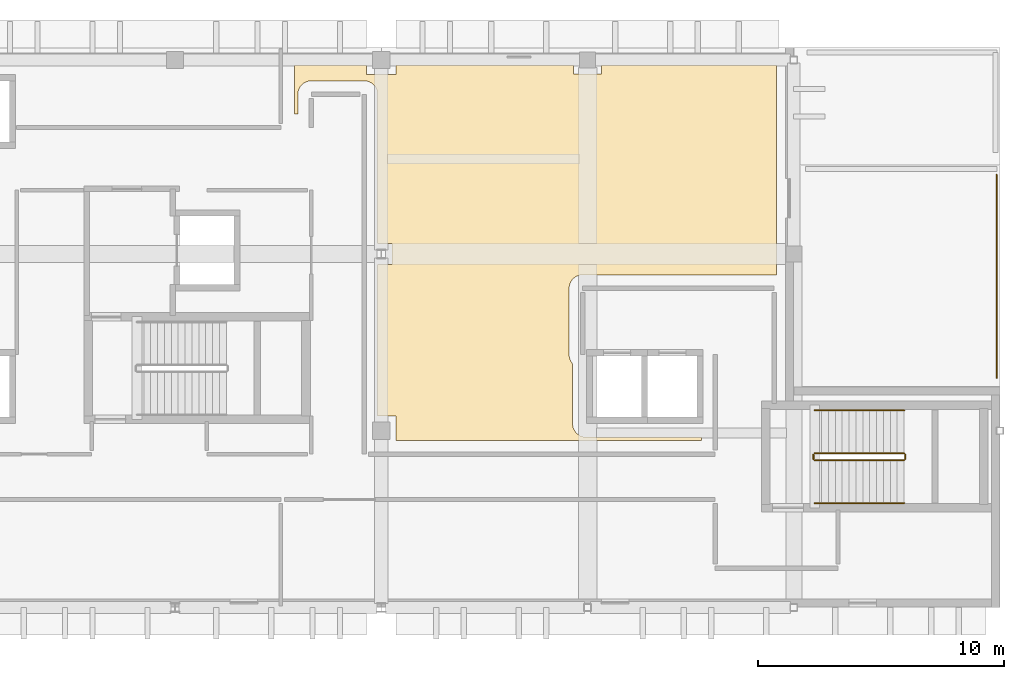
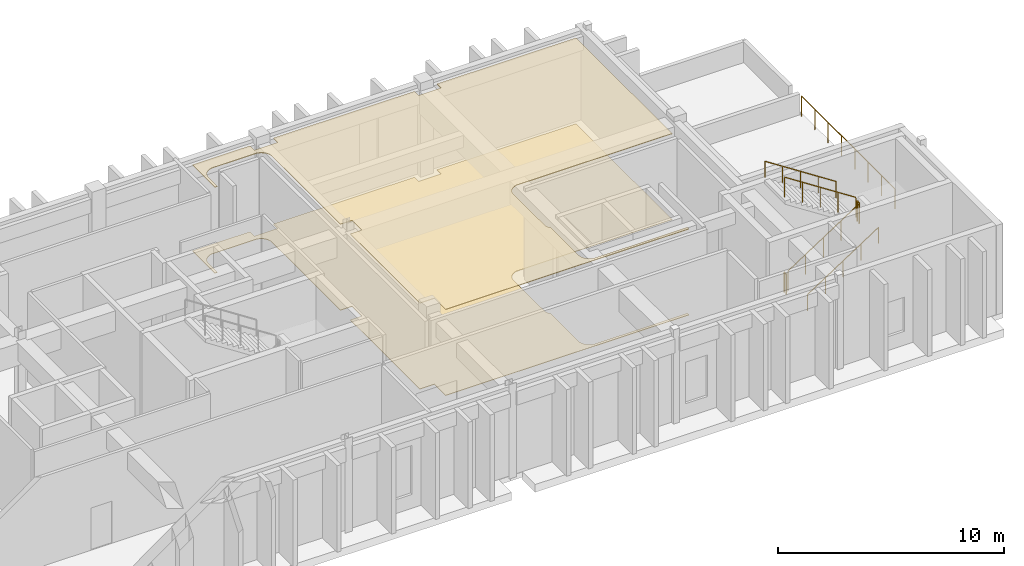
# One storey, part 9 of 9: 7 railings, 2 coverings.
"""IFC4 building model written with IfcOpenShell, lengths in metres."""

from ifc_helpers import new_model, si_unit, direction, frame, origin, origin_2d, place, context, subcontext, project, spatial, polyline, circle, outline, extrude, material, layer, layer_set, type_object, element, save


model = new_model("IFC4")

# Units and contexts
model_context = context("Model", 3, precision=1e-05, world=origin(), true_north=direction((0.0, 1.0)))
body_context = subcontext(model_context, "Body", "Model", "MODEL_VIEW")
ifc_project = project(units=[si_unit("LENGTHUNIT", "METRE"), si_unit("AREAUNIT", "SQUARE_METRE"), si_unit("VOLUMEUNIT", "CUBIC_METRE"), si_unit("PLANEANGLEUNIT", "RADIAN"), si_unit("MASSUNIT", "GRAM", prefix="KILO")], contexts=[model_context])

# Site, building, storey
site_placement = place(None, origin())
site = spatial("IfcSite", under=ifc_project, at=site_placement, CompositionType="ELEMENT")
building_placement = place(site_placement, origin())
building = spatial("IfcBuilding", under=site, at=building_placement, Name="Quendrovan Civic Courthouse", CompositionType="ELEMENT")
storey_placement = place(building_placement, frame((0.0, 0.0, 30.60009765625)))
storey = spatial("IfcBuildingStorey", under=building, at=storey_placement, Name="L07", CompositionType="ELEMENT", Elevation=30.60009765625)

# Coverings
ifc_material_1 = material(Name="Perforated Western Red Cedar and mineral acoustic ceiling")
ifc_layer_1 = layer(ifc_material_1, 0.034912109375, Name="Perforated Western Red Cedar and mineral acoustic ceiling")
ifc_layer_set_1 = layer_set([ifc_layer_1], Name="Perforated Western Red Cedar and mineral acoustic ceiling")
covering_type_1 = type_object("IfcCoveringType", Name="COV-CEIL-ACOUSTIC", PredefinedType="CEILING", material=ifc_layer_set_1)
covering_1_placement = place(storey_placement, frame((0.0, 0.0, 4.64501953125)))
element("IfcCovering", 1, at=covering_1_placement, inside=storey, type_object=covering_type_1, Name="L07 Appellate Courtroom Acoustic Ceiling", PredefinedType="CEILING", context=body_context, shape_type="SweptSolid", body=[
    extrude(outline(polyline([(67.800048828125, 94.39990234375), (67.800048828125, 95.39990234375), (67.050048828125, 95.39990234375), (67.050048828125, 101.56396484375), (67.636962890625, 101.56396484375), (67.636962890625, 102.43603515625), (67.050048828125, 102.43603515625), (67.050048828125, 108.5), (67.04736328125, 108.553955078125), (67.039306640625, 108.607421875), (67.0263671875, 108.65966796875), (67.008056640625, 108.71044921875), (66.985107421875, 108.75927734375), (66.957275390625, 108.8056640625), (66.92529296875, 108.848876953125), (66.888916015625, 108.888916015625), (66.848876953125, 108.92529296875), (66.8056640625, 108.957275390625), (66.75927734375, 108.985107421875), (66.71044921875, 109.008056640625), (66.65966796875, 109.0263671875), (66.607421875, 109.039306640625), (66.553955078125, 109.04736328125), (66.5, 109.050048828125), (64.35009765625, 109.050048828125), (64.296142578125, 109.04736328125), (64.24267578125, 109.039306640625), (64.190185546875, 109.0263671875), (64.139404296875, 109.008056640625), (64.0908203125, 108.985107421875), (64.04443359375, 108.957275390625), (64.001220703125, 108.92529296875), (63.961181640625, 108.888916015625), (63.9248046875, 108.848876953125), (63.892578125, 108.8056640625), (63.864990234375, 108.75927734375), (63.841796875, 108.71044921875), (63.82373046875, 108.65966796875), (63.810546875, 108.607421875), (63.802490234375, 108.553955078125), (63.800048828125, 108.5), (63.800048828125, 107.699951171875), (63.659912109375, 107.699951171875), (63.659912109375, 109.68994140625), (66.60009765625, 109.68994140625), (66.60009765625, 109.300048828125), (67.800048828125, 109.300048828125), (67.800048828125, 109.68994140625), (75.02490234375, 109.68994140625), (75.02490234375, 109.324951171875), (76.175048828125, 109.324951171875), (76.175048828125, 109.68994140625), (83.2900390625, 109.68994140625), (83.2900390625, 101.14208984375), (83.25390625, 101.1474609375), (83.199951171875, 101.14990234375), (75.39990234375, 101.14990234375), (75.34619140625, 101.1474609375), (75.292724609375, 101.139404296875), (75.240234375, 101.126220703125), (75.189453125, 101.108154296875), (75.140625, 101.085205078125), (75.094482421875, 101.057373046875), (75.051025390625, 101.025146484375), (75.010986328125, 100.989013671875), (74.974853515625, 100.948974609375), (74.942626953125, 100.905517578125), (74.914794921875, 100.859375), (74.891845703125, 100.810546875), (74.873779296875, 100.759765625), (74.860595703125, 100.707275390625), (74.8525390625, 100.65380859375), (74.85009765625, 100.60009765625), (74.85009765625, 97.89990234375), (74.8525390625, 97.84619140625), (74.860595703125, 97.792724609375), (74.873779296875, 97.740234375), (74.891845703125, 97.689453125), (74.914794921875, 97.640625), (74.942626953125, 97.594482421875), (74.974853515625, 97.551025390625), (74.989990234375, 97.534423828125), (74.989990234375, 95.090087890625), (74.99267578125, 95.0361328125), (75.00048828125, 94.982666015625), (75.013671875, 94.930419921875), (75.031982421875, 94.87939453125), (75.054931640625, 94.830810546875), (75.082763671875, 94.784423828125), (75.11474609375, 94.7412109375), (75.151123046875, 94.701171875), (75.191162109375, 94.664794921875), (75.234375, 94.6328125), (75.28076171875, 94.60498046875), (75.32958984375, 94.581787109375), (75.38037109375, 94.563720703125), (75.4326171875, 94.550537109375), (75.486083984375, 94.54248046875), (75.5400390625, 94.5400390625), (80.25, 94.5400390625), (80.25, 94.39990234375), (67.800048828125, 94.39990234375)])), origin(), (0.0, 0.0, 1.0), 0.034912109375),
])
ifc_material_2 = material(Name="Solid oak courtroom parquet flooring")
ifc_layer_2 = layer(ifc_material_2, 0.02490234375, Name="Solid oak courtroom parquet flooring")
ifc_layer_set_2 = layer_set([ifc_layer_2], Name="Solid oak courtroom parquet flooring")
covering_type_2 = type_object("IfcCoveringType", Name="COV-FLOR-TIMBER", PredefinedType="FLOORING", material=ifc_layer_set_2)
covering_2_placement = place(storey_placement, origin())
element("IfcCovering", 2, at=covering_2_placement, inside=storey, type_object=covering_type_2, Name="L07 Appellate Courtroom Finish Flooring", PredefinedType="FLOORING", context=body_context, shape_type="SweptSolid", body=[
    extrude(outline(polyline([(67.800048828125, 94.39990234375), (67.800048828125, 95.39990234375), (67.050048828125, 95.39990234375), (67.050048828125, 101.56396484375), (67.636962890625, 101.56396484375), (67.636962890625, 102.43603515625), (67.050048828125, 102.43603515625), (67.050048828125, 108.5), (67.04736328125, 108.553955078125), (67.039306640625, 108.607421875), (67.0263671875, 108.65966796875), (67.008056640625, 108.71044921875), (66.985107421875, 108.75927734375), (66.957275390625, 108.8056640625), (66.92529296875, 108.848876953125), (66.888916015625, 108.888916015625), (66.848876953125, 108.92529296875), (66.8056640625, 108.957275390625), (66.75927734375, 108.985107421875), (66.71044921875, 109.008056640625), (66.65966796875, 109.0263671875), (66.607421875, 109.039306640625), (66.553955078125, 109.04736328125), (66.5, 109.050048828125), (64.35009765625, 109.050048828125), (64.296142578125, 109.04736328125), (64.24267578125, 109.039306640625), (64.190185546875, 109.0263671875), (64.139404296875, 109.008056640625), (64.0908203125, 108.985107421875), (64.04443359375, 108.957275390625), (64.001220703125, 108.92529296875), (63.961181640625, 108.888916015625), (63.9248046875, 108.848876953125), (63.892578125, 108.8056640625), (63.864990234375, 108.75927734375), (63.841796875, 108.71044921875), (63.82373046875, 108.65966796875), (63.810546875, 108.607421875), (63.802490234375, 108.553955078125), (63.800048828125, 108.5), (63.800048828125, 107.699951171875), (63.659912109375, 107.699951171875), (63.659912109375, 109.68994140625), (66.60009765625, 109.68994140625), (66.60009765625, 109.300048828125), (67.800048828125, 109.300048828125), (67.800048828125, 109.68994140625), (75.02490234375, 109.68994140625), (75.02490234375, 109.324951171875), (76.175048828125, 109.324951171875), (76.175048828125, 109.68994140625), (83.2900390625, 109.68994140625), (83.2900390625, 101.14208984375), (83.25390625, 101.1474609375), (83.199951171875, 101.14990234375), (75.39990234375, 101.14990234375), (75.34619140625, 101.1474609375), (75.292724609375, 101.139404296875), (75.240234375, 101.126220703125), (75.189453125, 101.108154296875), (75.140625, 101.085205078125), (75.094482421875, 101.057373046875), (75.051025390625, 101.025146484375), (75.010986328125, 100.989013671875), (74.974853515625, 100.948974609375), (74.942626953125, 100.905517578125), (74.914794921875, 100.859375), (74.891845703125, 100.810546875), (74.873779296875, 100.759765625), (74.860595703125, 100.707275390625), (74.8525390625, 100.65380859375), (74.85009765625, 100.60009765625), (74.85009765625, 97.89990234375), (74.8525390625, 97.84619140625), (74.860595703125, 97.792724609375), (74.873779296875, 97.740234375), (74.891845703125, 97.689453125), (74.914794921875, 97.640625), (74.942626953125, 97.594482421875), (74.974853515625, 97.551025390625), (74.989990234375, 97.534423828125), (74.989990234375, 95.090087890625), (74.99267578125, 95.0361328125), (75.00048828125, 94.982666015625), (75.013671875, 94.930419921875), (75.031982421875, 94.87939453125), (75.054931640625, 94.830810546875), (75.082763671875, 94.784423828125), (75.11474609375, 94.7412109375), (75.151123046875, 94.701171875), (75.191162109375, 94.664794921875), (75.234375, 94.6328125), (75.28076171875, 94.60498046875), (75.32958984375, 94.581787109375), (75.38037109375, 94.563720703125), (75.4326171875, 94.550537109375), (75.486083984375, 94.54248046875), (75.5400390625, 94.5400390625), (80.25, 94.5400390625), (80.25, 94.39990234375), (67.800048828125, 94.39990234375)])), origin(), (0.0, 0.0, 1.0), 0.02490234375),
])

# Railings
ifc_material_3 = material(Name="Bronze anodised aluminium", Category="aluminium")
railing_type_1 = type_object("IfcRailingType", Name="RL-EXT-GUARD1100", PredefinedType="GUARDRAIL", material=ifc_material_3)
railing_1_placement = place(storey_placement, frame((92.260009765625, 96.949951171875, 0.0)))
element("IfcRailing", 3, at=railing_1_placement, inside=storey, type_object=railing_type_1, Name="L07 Terrace Edge Guardrail 011", PredefinedType="GUARDRAIL", context=body_context, shape_type="SweptSolid", body=[
    extrude(circle(Radius=0.02392578125, at=origin_2d()), frame((0.0, 0.0, 1.09619140625), z_axis=(0.0, 1.0, 0.0), x_axis=(-1.0, 0.0, 0.0)), (0.0, 0.0, 1.0), 8.27001953125),
    extrude(circle(Radius=0.02099609375, at=origin_2d()), origin(), (0.0, 0.0, 1.0), 1.072021484375),
    extrude(circle(Radius=0.02099609375, at=origin_2d()), frame((0.0, 1.181396484375, 0.0)), (0.0, 0.0, 1.0), 1.072021484375),
    extrude(circle(Radius=0.02099609375, at=origin_2d()), frame((0.0, 2.36279296875, 0.0)), (0.0, 0.0, 1.0), 1.072021484375),
    extrude(circle(Radius=0.02099609375, at=origin_2d()), frame((0.0, 3.544189453125, 0.0)), (0.0, 0.0, 1.0), 1.072021484375),
    extrude(circle(Radius=0.02099609375, at=origin_2d()), frame((0.0, 4.725830078125, 0.0)), (0.0, 0.0, 1.0), 1.072021484375),
    extrude(circle(Radius=0.02099609375, at=origin_2d()), frame((0.0, 5.9072265625, 0.0)), (0.0, 0.0, 1.0), 1.072021484375),
    extrude(circle(Radius=0.02099609375, at=origin_2d()), frame((0.0, 7.088623046875, 0.0)), (0.0, 0.0, 1.0), 1.072021484375),
    extrude(circle(Radius=0.02099609375, at=origin_2d()), frame((0.0, 8.27001953125, 0.0)), (0.0, 0.0, 1.0), 1.072021484375),
])
ifc_material_4 = material(Name="Painted galvanized steel", Category="steel")
railing_type_2 = type_object("IfcRailingType", Name="RL-STR-GUARD1100", PredefinedType="GUARDRAIL", material=ifc_material_4)
railing_2_placement = place(storey_placement, frame((84.85009765625, 93.60009765625, 0.18212890625)))
element("IfcRailing", 4, at=railing_2_placement, inside=storey, type_object=railing_type_2, Name="L07 ST3 stair guard 1", PredefinedType="GUARDRAIL", context=body_context, shape_type="SweptSolid", body=[
    extrude(circle(Radius=0.02392578125, at=origin_2d()), frame((0.0, 0.0, 1.076171875), z_axis=(0.838259873693, 0.0, 0.545270927297), x_axis=(0.0, 1.0, 0.0)), (0.0, 0.0, 1.0), 4.34228515625),
    extrude(circle(Radius=0.02099609375, at=origin_2d()), origin(), (0.0, 0.0, 1.0), 1.052001953125),
    extrude(circle(Radius=0.02099609375, at=origin_2d()), frame((0.909912109375, 0.0, 0.591796875)), (0.0, 0.0, 1.0), 1.052001953125),
    extrude(circle(Radius=0.02099609375, at=origin_2d()), frame((1.81982421875, 0.0, 1.183837890625)), (0.0, 0.0, 1.0), 1.052001953125),
    extrude(circle(Radius=0.02099609375, at=origin_2d()), frame((2.72998046875, 0.0, 1.77587890625)), (0.0, 0.0, 1.0), 1.052001953125),
    extrude(circle(Radius=0.02099609375, at=origin_2d()), frame((3.639892578125, 0.0, 2.36767578125)), (0.0, 0.0, 1.0), 1.052001953125),
])
railing_3_placement = place(storey_placement, frame((88.5400390625, 93.64990234375, 2.5498046875)))
element("IfcRailing", 5, at=railing_3_placement, inside=storey, type_object=railing_type_2, Name="L07 ST3 stair guard 2", PredefinedType="GUARDRAIL", context=body_context, shape_type="SweptSolid", body=[
    extrude(circle(Radius=0.02392578125, at=origin_2d()), frame((0.0, 0.0, 1.076171875), z_axis=(0.0, 1.0, 0.0), x_axis=(-1.0, 0.0, 0.0)), (0.0, 0.0, 1.0), 0.18017578125),
    extrude(circle(Radius=0.02099609375, at=origin_2d()), origin(), (0.0, 0.0, 1.0), 1.052001953125),
    extrude(circle(Radius=0.02099609375, at=origin_2d()), frame((0.0, 0.18017578125, 0.0)), (0.0, 0.0, 1.0), 1.052001953125),
])
railing_4_placement = place(storey_placement, frame((88.489990234375, 93.8798828125, 2.73193359375)))
element("IfcRailing", 6, at=railing_4_placement, inside=storey, type_object=railing_type_2, Name="L07 ST3 stair guard 3", PredefinedType="GUARDRAIL", context=body_context, shape_type="SweptSolid", body=[
    extrude(circle(Radius=0.02392578125, at=origin_2d()), frame((0.0, 0.0, 1.076171875), z_axis=(-0.838234174257, 0.0, 0.545310433706), x_axis=(0.0, -1.0, 0.0)), (0.0, 0.0, 1.0), 4.34228515625),
    extrude(circle(Radius=0.02099609375, at=origin_2d()), origin(), (0.0, 0.0, 1.0), 1.052001953125),
    extrude(circle(Radius=0.02099609375, at=origin_2d()), frame((-0.909912109375, 0.0, 0.592041015625)), (0.0, 0.0, 1.0), 1.052001953125),
    extrude(circle(Radius=0.02099609375, at=origin_2d()), frame((-1.81982421875, 0.0, 1.18408203125)), (0.0, 0.0, 1.0), 1.052001953125),
    extrude(circle(Radius=0.02099609375, at=origin_2d()), frame((-2.72998046875, 0.0, 1.77587890625)), (0.0, 0.0, 1.0), 1.052001953125),
    extrude(circle(Radius=0.02099609375, at=origin_2d()), frame((-3.639892578125, 0.0, 2.367919921875)), (0.0, 0.0, 1.0), 1.052001953125),
])
railing_5_placement = place(storey_placement, frame((84.800048828125, 93.64990234375, 0.0)))
element("IfcRailing", 7, at=railing_5_placement, inside=storey, type_object=railing_type_2, Name="L07 ST3 stair guard 4", PredefinedType="GUARDRAIL", context=body_context, shape_type="SweptSolid", body=[
    extrude(circle(Radius=0.02392578125, at=origin_2d()), frame((0.0, 0.0, 1.076171875), z_axis=(0.0, 1.0, 0.0), x_axis=(-1.0, 0.0, 0.0)), (0.0, 0.0, 1.0), 0.18017578125),
    extrude(circle(Radius=0.02099609375, at=origin_2d()), origin(), (0.0, 0.0, 1.0), 1.052001953125),
    extrude(circle(Radius=0.02099609375, at=origin_2d()), frame((0.0, 0.18017578125, 0.0)), (0.0, 0.0, 1.0), 1.052001953125),
])
railing_type_3 = type_object("IfcRailingType", Name="RL-STR-HAND900", PredefinedType="HANDRAIL", material=ifc_material_3)
railing_6_placement = place(storey_placement, frame((84.85009765625, 91.85009765625, 0.18212890625)))
element("IfcRailing", 8, at=railing_6_placement, inside=storey, type_object=railing_type_3, Name="L07 ST3 stair handrail 1", PredefinedType="HANDRAIL", context=body_context, shape_type="SweptSolid", body=[
    extrude(circle(Radius=0.02392578125, at=origin_2d()), frame((0.0, 0.0, 0.8759765625), z_axis=(0.838259873693, 0.0, 0.545270927297), x_axis=(0.0, 1.0, 0.0)), (0.0, 0.0, 1.0), 4.34228515625),
    extrude(circle(Radius=0.02099609375, at=origin_2d()), origin(), (0.0, 0.0, 1.0), 0.851806640625),
    extrude(circle(Radius=0.02099609375, at=origin_2d()), frame((0.909912109375, 0.0, 0.591796875)), (0.0, 0.0, 1.0), 0.851806640625),
    extrude(circle(Radius=0.02099609375, at=origin_2d()), frame((1.81982421875, 0.0, 1.183837890625)), (0.0, 0.0, 1.0), 0.851806640625),
    extrude(circle(Radius=0.02099609375, at=origin_2d()), frame((2.72998046875, 0.0, 1.77587890625)), (0.0, 0.0, 1.0), 0.851806640625),
    extrude(circle(Radius=0.02099609375, at=origin_2d()), frame((3.639892578125, 0.0, 2.36767578125)), (0.0, 0.0, 1.0), 0.851806640625),
])
railing_7_placement = place(storey_placement, frame((88.489990234375, 95.6298828125, 2.73193359375)))
element("IfcRailing", 9, at=railing_7_placement, inside=storey, type_object=railing_type_3, Name="L07 ST3 stair handrail 2", PredefinedType="HANDRAIL", context=body_context, shape_type="SweptSolid", body=[
    extrude(circle(Radius=0.02392578125, at=origin_2d()), frame((0.0, 0.0, 0.8759765625), z_axis=(-0.838234174257, 0.0, 0.545310433706), x_axis=(0.0, -1.0, 0.0)), (0.0, 0.0, 1.0), 4.34228515625),
    extrude(circle(Radius=0.02099609375, at=origin_2d()), origin(), (0.0, 0.0, 1.0), 0.851806640625),
    extrude(circle(Radius=0.02099609375, at=origin_2d()), frame((-0.909912109375, 0.0, 0.592041015625)), (0.0, 0.0, 1.0), 0.851806640625),
    extrude(circle(Radius=0.02099609375, at=origin_2d()), frame((-1.81982421875, 0.0, 1.18408203125)), (0.0, 0.0, 1.0), 0.851806640625),
    extrude(circle(Radius=0.02099609375, at=origin_2d()), frame((-2.72998046875, 0.0, 1.77587890625)), (0.0, 0.0, 1.0), 0.851806640625),
    extrude(circle(Radius=0.02099609375, at=origin_2d()), frame((-3.639892578125, 0.0, 2.367919921875)), (0.0, 0.0, 1.0), 0.851806640625),
])

save(model, "model.ifc")
